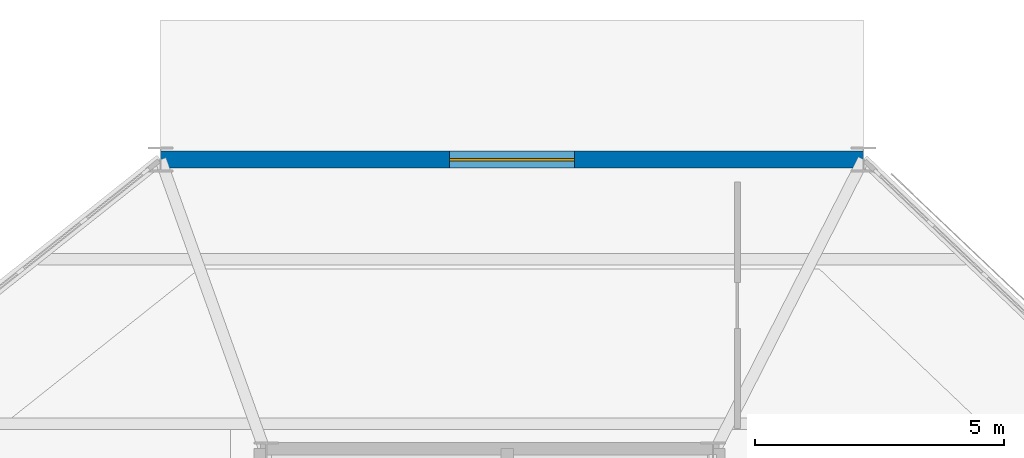
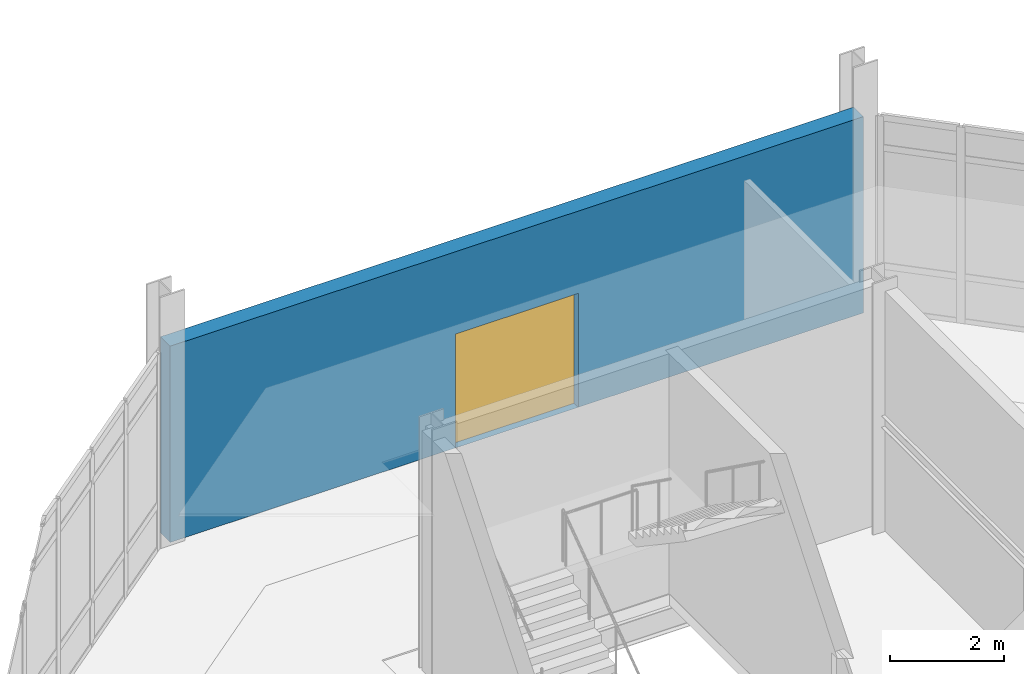
# One storey, part 97 of 113: 1 door, 1 wall, 1 opening.
"""IFC4 building model written with IfcOpenShell, lengths in metres."""

from ifc_helpers import new_model, si_unit, direction, frame, frame_2d, origin, place, context, subcontext, project, spatial, rectangle, extrude, material, layer, layer_set, type_object, element, fill, save


model = new_model("IFC4")

# Units and contexts
model_context = context("Model", 3, precision=1e-05, world=origin(), true_north=direction((0.0, 1.0)))
body_context = subcontext(model_context, "Body", "Model", "MODEL_VIEW")
ifc_project = project(units=[si_unit("LENGTHUNIT", "METRE"), si_unit("AREAUNIT", "SQUARE_METRE"), si_unit("VOLUMEUNIT", "CUBIC_METRE"), si_unit("PLANEANGLEUNIT", "RADIAN"), si_unit("MASSUNIT", "GRAM", prefix="KILO")], contexts=[model_context])

# Site, building, storey
site_placement = place(None, origin())
site = spatial("IfcSite", under=ifc_project, at=site_placement, CompositionType="ELEMENT")
building_placement = place(site_placement, origin())
building = spatial("IfcBuilding", under=site, at=building_placement, Name="Tameran Prism Museum", CompositionType="ELEMENT")
storey_placement = place(building_placement, origin())
storey = spatial("IfcBuildingStorey", under=building, at=storey_placement, Name="L00", CompositionType="ELEMENT", Elevation=0.0)

# Wall, opening, door
ifc_material_1 = material(Name="Precast Concrete N40 (40 MPa)", Category="concrete")
ifc_layer = layer(ifc_material_1, 0.340087890625)
ifc_layer_set = layer_set([ifc_layer])
wall_type = type_object("IfcWallType", Name="EW-GAL-340", PredefinedType="SOLIDWALL", material=ifc_layer_set)
wall_placement = place(storey_placement, frame((113.39990234375, 112.0, 0.0), z_axis=(0.0, 0.0, 1.0), x_axis=(1.0, 0.0, 0.0)))
wall = element("IfcWall", 1, at=wall_placement, inside=storey, type_object=wall_type, Name="Exterior Fluted Precast Wall EW-0075", PredefinedType="SOLIDWALL", context=body_context, shape_type="SweptSolid", body=[
    extrude(rectangle(XDim=14.10009765625, YDim=0.340087890625, at=frame_2d((7.050048828125, 0.0))), origin(), (0.0, 0.0, 1.0), 4.219970703125),
])
opening_placement = place(wall_placement, frame((5.800048828125, 0.0, 0.0)))
opening = element("IfcOpeningElement", 2, at=opening_placement, cuts=wall, Name="Opening ED-03", PredefinedType="OPENING", context=body_context, shape_type="SweptSolid", body=[
    extrude(rectangle(XDim=2.5, YDim=2.449951171875, at=frame_2d((1.25, 1.22509765625))), frame((0.0, 0.179931640625, 0.0), z_axis=(0.0, -1.0, 0.0), x_axis=(1.0, 0.0, 0.0)), (0.0, 0.0, 1.0), 0.360107421875),
])
ifc_material_2 = material(Name="Cyclone-Rated Anodised Aluminium 6063-T6 and Laminated Glass", Category="aluminium")
door_type = type_object("IfcDoorType", Name="DR-EXT-220", OperationType="DOUBLE_DOOR_SINGLE_SWING", PredefinedType="DOOR", material=ifc_material_2)
door_placement = place(opening_placement, origin())
door = element("IfcDoor", 3, at=door_placement, inside=storey, type_object=door_type, Name="Final Exit Double Door ED-03", OperationType="DOUBLE_DOOR_SINGLE_SWING", OverallHeight=2.449951171875, OverallWidth=2.5, PredefinedType="DOOR", context=body_context, shape_type="SweptSolid", body=[
    extrude(rectangle(XDim=2.5, YDim=2.449951171875, at=frame_2d((1.25, 1.22509765625))), frame((0.0, 0.02490234375, 0.0), z_axis=(0.0, -1.0, 0.0), x_axis=(1.0, 0.0, 0.0)), (0.0, 0.0, 1.0), 0.050048828125),
])
fill(opening, door)

save(model, "model.ifc")
